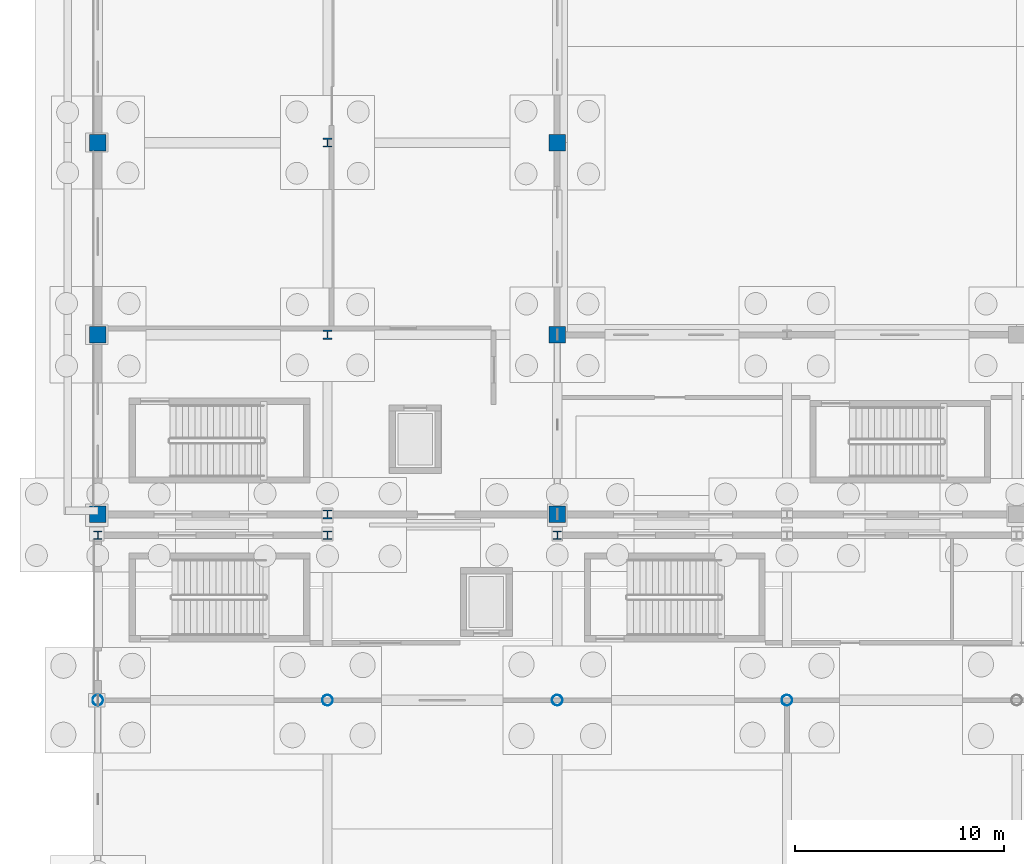
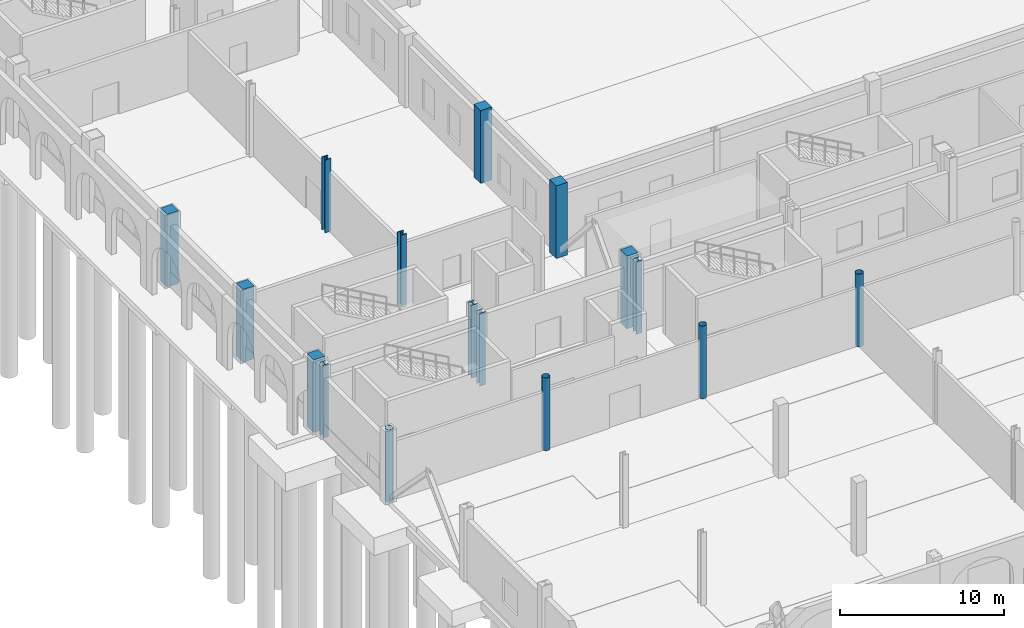
# One storey, part 19 of 83: 16 columns.
"""IFC4 building model written with IfcOpenShell, lengths in metres."""

from ifc_helpers import new_model, si_unit, direction, frame, origin, origin_2d, place, context, subcontext, project, spatial, rectangle, hollow_circle, i_section, extrude, material, material_profile, profile_set, type_object, element, save


model = new_model("IFC4")

# Units and contexts
model_context = context("Model", 3, precision=1e-05, world=origin(), true_north=direction((0.0, 1.0)))
body_context = subcontext(model_context, "Body", "Model", "MODEL_VIEW")
ifc_project = project(units=[si_unit("LENGTHUNIT", "METRE"), si_unit("AREAUNIT", "SQUARE_METRE"), si_unit("VOLUMEUNIT", "CUBIC_METRE"), si_unit("PLANEANGLEUNIT", "RADIAN"), si_unit("MASSUNIT", "GRAM", prefix="KILO")], contexts=[model_context])

# Site, building, storey
site_placement = place(None, origin())
site = spatial("IfcSite", under=ifc_project, at=site_placement, CompositionType="ELEMENT")
building_placement = place(site_placement, origin())
building = spatial("IfcBuilding", under=site, at=building_placement, Name="Caurita Quay Ferry Terminal", CompositionType="ELEMENT")
storey_placement = place(building_placement, origin())
storey = spatial("IfcBuildingStorey", under=building, at=storey_placement, Name="L00", CompositionType="ELEMENT", Elevation=0.0)

# Columns
ifc_material_1 = material(Name="Hollow structural steel ASTM A500 Gr. C", Category="steel")
ifc_material_profile_1 = material_profile(ifc_material_1, hollow_circle(Radius=0.25390625, WallThickness=0.01171875, at=origin_2d()), Name="HSS20.000X0.500")
ifc_profile_set_1 = profile_set([ifc_material_profile_1], Name="Hollow structural steel ASTM A500 Gr. C")
column_type_1 = type_object("IfcColumnType", Name="COL-MST-01", PredefinedType="COLUMN", material=ifc_profile_set_1)
for number, where, z_axis, x_axis, name in (
    (1, (0.0, 62.699951171875, 0.0), (0.0, 0.0, 1.0), (1.0, 0.0, 0.0), "L00 Column V1-MST-01-N"),
    (2, (11.0, 62.699951171875, 0.0), (0.0, 0.0, 1.0), (1.0, 0.0, 0.0), "L00 Column V1-MST-02-N"),
    (3, (22.0, 62.699951171875, 0.0), (0.0, 0.0, 1.0), (1.0, 0.0, 0.0), "L00 Column V1-MST-03-N"),
    (4, (33.0, 62.699951171875, 0.0), (0.0, 0.0, 1.0), (1.0, 0.0, 0.0), "L00 Column V1-MST-04-N"),
):
    element("IfcColumn", number, at=place(storey_placement, frame(where, z_axis=z_axis, x_axis=x_axis)), inside=storey, type_object=column_type_1, Name=name, PredefinedType="COLUMN", context=body_context, shape_type="SweptSolid", body=[
        extrude(hollow_circle(Radius=0.25390625, WallThickness=0.01171875, at=origin_2d()), origin(), (0.0, 0.0, 1.0), 5.39990234375),
    ])
ifc_material_2 = material(Name="Marine reinforced concrete C40/50", Category="concrete")
ifc_material_profile_2 = material_profile(ifc_material_2, rectangle(XDim=0.800048828125, YDim=0.800048828125, at=origin_2d()), Name="RC-COL-800X800")
ifc_profile_set_2 = profile_set([ifc_material_profile_2], Name="Marine reinforced concrete C40/50")
column_type_2 = type_object("IfcColumnType", Name="COL-RC-800", PredefinedType="COLUMN", material=ifc_profile_set_2)
for number, where, z_axis, x_axis, name in (
    (5, (0.0, 71.60009765625, 0.0), (0.0, 0.0, 1.0), (1.0, 0.0, 0.0), "L00 Column V5-01-L"),
    (6, (0.0, 80.199951171875, 0.0), (0.0, 0.0, 1.0), (1.0, 0.0, 0.0), "L00 Column V5-01-M"),
    (7, (0.0, 89.39990234375, 0.0), (0.0, 0.0, 1.0), (1.0, 0.0, 0.0), "L00 Column V5-01-N"),
    (8, (22.0, 71.60009765625, 0.0), (0.0, 0.0, 1.0), (1.0, 0.0, 0.0), "L00 Column V5-03-L"),
    (9, (22.0, 80.199951171875, 0.0), (0.0, 0.0, 1.0), (1.0, 0.0, 0.0), "L00 Column V5-03-M"),
    (10, (22.0, 89.39990234375, 0.0), (0.0, 0.0, 1.0), (1.0, 0.0, 0.0), "L00 Column V5-03-N"),
):
    element("IfcColumn", number, at=place(storey_placement, frame(where, z_axis=z_axis, x_axis=x_axis)), inside=storey, type_object=column_type_2, Name=name, PredefinedType="COLUMN", context=body_context, shape_type="SweptSolid", body=[
        extrude(rectangle(XDim=0.800048828125, YDim=0.800048828125, at=origin_2d()), origin(), (0.0, 0.0, 1.0), 5.39990234375),
    ])
ifc_material_3 = material(Name="Structural steel ASTM A992 Gr. 50", Category="steel")
ifc_material_profile_3 = material_profile(ifc_material_3, i_section(OverallWidth=0.410888671875, OverallDepth=0.43408203125, WebThickness=0.035888671875, FlangeThickness=0.057373046875, at=origin_2d()), Name="W14X311")
ifc_profile_set_3 = profile_set([ifc_material_profile_3], Name="Structural steel ASTM A992 Gr. 50")
column_type_3 = type_object("IfcColumnType", Name="COL-STL-01", PredefinedType="COLUMN", material=ifc_profile_set_3)
for number, where, z_axis, x_axis, name in (
    (11, (11.0, 71.60009765625, 0.0), (0.0, 0.0, 1.0), (1.0, 0.0, 0.0), "L00 Column V5-02-L"),
    (12, (11.0, 80.199951171875, 0.0), (0.0, 0.0, 1.0), (1.0, 0.0, 0.0), "L00 Column V5-02-M"),
    (13, (11.0, 89.39990234375, 0.0), (0.0, 0.0, 1.0), (1.0, 0.0, 0.0), "L00 Column V5-02-N"),
):
    element("IfcColumn", number, at=place(storey_placement, frame(where, z_axis=z_axis, x_axis=x_axis)), inside=storey, type_object=column_type_3, Name=name, PredefinedType="COLUMN", context=body_context, shape_type="SweptSolid", body=[
        extrude(i_section(OverallWidth=0.410888671875, OverallDepth=0.43408203125, WebThickness=0.035888671875, FlangeThickness=0.057373046875, at=origin_2d()), origin(), (0.0, 0.0, 1.0), 5.39990234375),
    ])
ifc_material_profile_4 = material_profile(ifc_material_3, i_section(OverallWidth=0.398681640625, OverallDepth=0.393798828125, WebThickness=0.022705078125, FlangeThickness=0.03662109375, FilletRadius=0.017822265625, at=origin_2d()), Name="W14X193")
ifc_profile_set_4 = profile_set([ifc_material_profile_4], Name="Structural steel ASTM A992 Gr. 50")
column_type_4 = type_object("IfcColumnType", Name="COL-STL-04", PredefinedType="COLUMN", material=ifc_profile_set_4)
for number, where, z_axis, x_axis, name in (
    (14, (0.0, 70.60009765625, 0.0), (0.0, 0.0, 1.0), (1.0, 0.0, 0.0), "L00 Column V1-NTH-01-K"),
    (15, (11.0, 70.60009765625, 0.0), (0.0, 0.0, 1.0), (1.0, 0.0, 0.0), "L00 Column V1-NTH-02-K"),
    (16, (22.0, 70.60009765625, 0.0), (0.0, 0.0, 1.0), (1.0, 0.0, 0.0), "L00 Column V1-NTH-03-K"),
):
    element("IfcColumn", number, at=place(storey_placement, frame(where, z_axis=z_axis, x_axis=x_axis)), inside=storey, type_object=column_type_4, Name=name, PredefinedType="COLUMN", context=body_context, shape_type="SweptSolid", body=[
        extrude(i_section(OverallWidth=0.398681640625, OverallDepth=0.393798828125, WebThickness=0.022705078125, FlangeThickness=0.03662109375, FilletRadius=0.017822265625, at=origin_2d()), origin(), (0.0, 0.0, 1.0), 5.39990234375),
    ])

save(model, "model.ifc")
